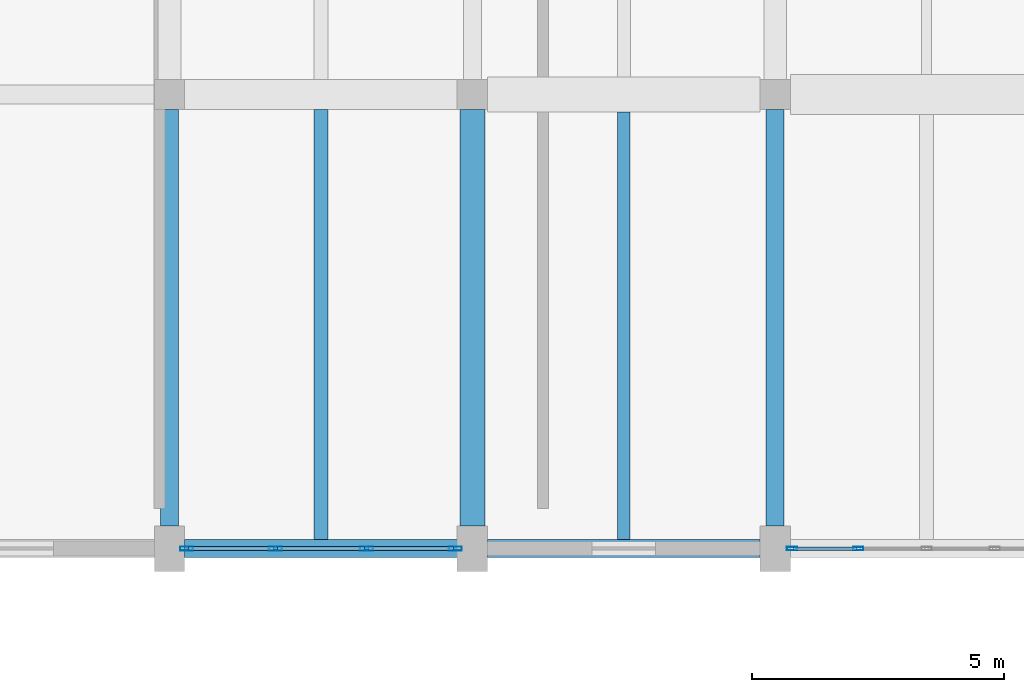
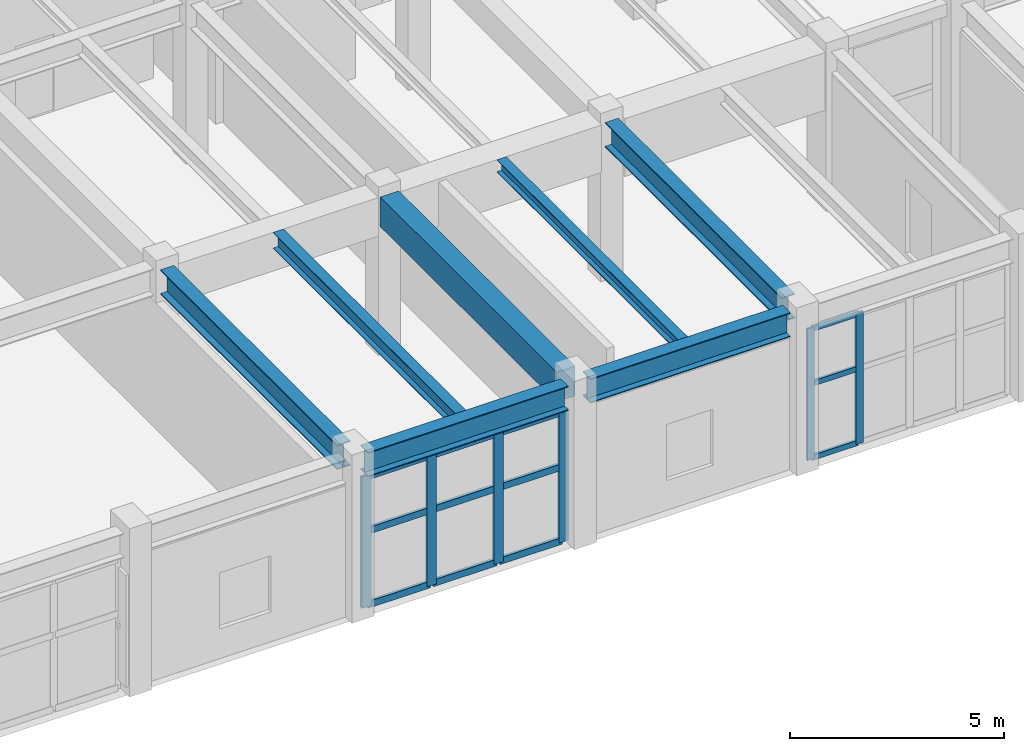
# One storey, part 11 of 85: 18 members, 7 beams, 2 elements without a shape of their own.
"""IFC4 building model written with IfcOpenShell, lengths in metres."""

from ifc_helpers import new_model, si_unit, direction, frame, origin, origin_2d, place, context, subcontext, project, spatial, rectangle, hollow_rectangle, i_section, extrude, material, layer, layer_set, material_profile, profile_set, type_object, element, aggregate, save


model = new_model("IFC4")

# Units and contexts
model_context = context("Model", 3, precision=1e-05, world=origin(), true_north=direction((0.0, 1.0)))
body_context = subcontext(model_context, "Body", "Model", "MODEL_VIEW")
ifc_project = project(units=[si_unit("LENGTHUNIT", "METRE"), si_unit("AREAUNIT", "SQUARE_METRE"), si_unit("VOLUMEUNIT", "CUBIC_METRE"), si_unit("PLANEANGLEUNIT", "RADIAN"), si_unit("MASSUNIT", "GRAM", prefix="KILO")], contexts=[model_context])

# Site, building, storey
site_placement = place(None, origin())
site = spatial("IfcSite", under=ifc_project, at=site_placement, CompositionType="ELEMENT")
building_placement = place(site_placement, origin())
building = spatial("IfcBuilding", under=site, at=building_placement, Name="Vaelkrest Opera House", CompositionType="ELEMENT")
storey_placement = place(building_placement, frame((0.0, 0.0, 10.199951171875)))
storey = spatial("IfcBuildingStorey", under=building, at=storey_placement, Name="L02", CompositionType="ELEMENT", Elevation=10.199951171875)

# Beams
ifc_material_1 = material(Name="Concrete C50/60", Category="concrete")
ifc_material_profile_1 = material_profile(ifc_material_1, rectangle(XDim=0.5, YDim=0.85009765625, at=origin_2d()), Name="RCB500X850")
ifc_profile_set_1 = profile_set([ifc_material_profile_1], Name="Concrete C50/60")
beam_type_1 = type_object("IfcBeamType", Name="B03", PredefinedType="BEAM", material=ifc_profile_set_1)
beam_1_placement = place(storey_placement, frame((-45.60009765625, -16.35009765625, 4.080078125), z_axis=(0.0, 1.0, 0.0), x_axis=(-1.0, 0.0, 0.0)))
element("IfcBeam", 1, at=beam_1_placement, inside=storey, type_object=beam_type_1, Name="Beam BM-V3-L02-1688", PredefinedType="BEAM", context=body_context, shape_type="SweptSolid", body=[
    extrude(rectangle(XDim=0.5, YDim=0.85009765625, at=origin_2d()), origin(), (0.0, 0.0, 1.0), 8.25),
])
ifc_material_2 = material(Name="Steel A992 Gr50", Category="steel")
ifc_material_profile_2 = material_profile(ifc_material_2, i_section(OverallWidth=0.35791015625, OverallDepth=0.7060546875, WebThickness=0.018310546875, FlangeThickness=0.0302734375, at=origin_2d()), Name="W27X178")
ifc_profile_set_2 = profile_set([ifc_material_profile_2], Name="Steel A992 Gr50")
beam_type_2 = type_object("IfcBeamType", Name="B14", PredefinedType="BEAM", material=ifc_profile_set_2)
for number, where, z_axis, x_axis, name in (
    (2, (-51.60009765625, -16.35009765625, 4.152099609375), (0.0, 1.0, 0.0), (-1.0, 0.0, 0.0), "Beam BM-V3-L02-1682"),
    (3, (-39.60009765625, -16.35009765625, 4.152099609375), (0.0, 1.0, 0.0), (-1.0, 0.0, 0.0), "Beam BM-V3-L02-1694"),
):
    element("IfcBeam", number, at=place(storey_placement, frame(where, z_axis=z_axis, x_axis=x_axis)), inside=storey, type_object=beam_type_2, Name=name, PredefinedType="BEAM", context=body_context, shape_type="SweptSolid", body=[
        extrude(i_section(OverallWidth=0.35791015625, OverallDepth=0.7060546875, WebThickness=0.018310546875, FlangeThickness=0.0302734375, at=origin_2d()), origin(), (0.0, 0.0, 1.0), 8.25),
    ])

# Curtain wall, members
ifc_material_3 = material(Name="Dark bronze anodized aluminium", Category="aluminium")
ifc_layer_1 = layer(ifc_material_3, 0.18994140625)
ifc_layer_set_1 = layer_set([ifc_layer_1], Name="Dark bronze anodized aluminium")
curtain_wall_type_1 = type_object("IfcCurtainWallType", Name="CW02", PredefinedType="NOTDEFINED", material=ifc_layer_set_1)
curtain_wall_1_placement = place(storey_placement, origin())
curtain_wall_1 = element("IfcCurtainWall", 4, at=curtain_wall_1_placement, inside=storey, type_object=curtain_wall_type_1, Name="Curtain wall CW-L02-112", PredefinedType="NOTDEFINED")
ifc_material_profile_3 = material_profile(ifc_material_3, hollow_rectangle(XDim=0.070068359375, YDim=0.199951171875, WallThickness=0.004150390625, at=origin_2d()), Name="CWM70X200")
ifc_profile_set_3 = profile_set([ifc_material_profile_3], Name="Dark bronze anodized aluminium")
member_type_1 = type_object("IfcMemberType", Name="CWM02", PredefinedType="MULLION", material=ifc_profile_set_3)
member_1_placement = place(storey_placement, frame((-37.950927734375, -16.800048828125, 0.0), z_axis=(0.0, 0.0, 1.0), x_axis=(0.0, -1.0, 0.0)))
member_1 = element("IfcMember", 5, at=member_1_placement, type_object=member_type_1, Name="CW02 mullion 4", PredefinedType="MULLION", context=body_context, shape_type="SweptSolid", body=[
    extrude(hollow_rectangle(XDim=0.070068359375, YDim=0.199951171875, WallThickness=0.004150390625, at=origin_2d()), origin(), (0.0, 0.0, 1.0), 3.7451171875),
])
member_2_placement = place(storey_placement, frame((-39.26708984375, -16.800048828125, 0.0), z_axis=(0.0, 0.0, 1.0), x_axis=(0.0, -1.0, 0.0)))
member_2 = element("IfcMember", 6, at=member_2_placement, type_object=member_type_1, Name="CW02 mullion 5", PredefinedType="MULLION", context=body_context, shape_type="SweptSolid", body=[
    extrude(hollow_rectangle(XDim=0.070068359375, YDim=0.199951171875, WallThickness=0.004150390625, at=origin_2d()), origin(), (0.0, 0.0, 1.0), 3.7451171875),
])

ifc_layer_2 = layer(ifc_material_3, 0.2099609375)
ifc_layer_set_2 = layer_set([ifc_layer_2], Name="Dark bronze anodized aluminium")
curtain_wall_type_2 = type_object("IfcCurtainWallType", Name="CW04", PredefinedType="NOTDEFINED", material=ifc_layer_set_2)
curtain_wall_2_placement = place(storey_placement, origin())
curtain_wall_2 = element("IfcCurtainWall", 7, at=curtain_wall_2_placement, inside=storey, type_object=curtain_wall_type_2, Name="Curtain wall CW-L02-113", PredefinedType="NOTDEFINED")
ifc_material_profile_4 = material_profile(ifc_material_3, hollow_rectangle(XDim=0.080078125, YDim=0.260009765625, WallThickness=0.0048828125, at=origin_2d()), Name="CWM80X260")
ifc_profile_set_4 = profile_set([ifc_material_profile_4], Name="Dark bronze anodized aluminium")
member_type_2 = type_object("IfcMemberType", Name="CWM04", PredefinedType="MULLION", material=ifc_profile_set_4)
member_3_placement = place(storey_placement, frame((-45.93798828125, -16.800048828125, 0.0), z_axis=(0.0, 0.0, 1.0), x_axis=(0.0, -1.0, 0.0)))
member_3 = element("IfcMember", 8, at=member_3_placement, type_object=member_type_2, Name="CW04 mullion 1", PredefinedType="MULLION", context=body_context, shape_type="SweptSolid", body=[
    extrude(hollow_rectangle(XDim=0.080078125, YDim=0.260009765625, WallThickness=0.0048828125, at=origin_2d()), origin(), (0.0, 0.0, 1.0), 3.7451171875),
])
member_4_placement = place(storey_placement, frame((-47.69921875, -16.800048828125, 0.0), z_axis=(0.0, 0.0, 1.0), x_axis=(0.0, -1.0, 0.0)))
member_4 = element("IfcMember", 9, at=member_4_placement, type_object=member_type_2, Name="CW04 mullion 2", PredefinedType="MULLION", context=body_context, shape_type="SweptSolid", body=[
    extrude(hollow_rectangle(XDim=0.080078125, YDim=0.260009765625, WallThickness=0.0048828125, at=origin_2d()), origin(), (0.0, 0.0, 1.0), 3.7451171875),
])
member_5_placement = place(storey_placement, frame((-49.500732421875, -16.800048828125, 0.0), z_axis=(0.0, 0.0, 1.0), x_axis=(0.0, -1.0, 0.0)))
member_5 = element("IfcMember", 10, at=member_5_placement, type_object=member_type_2, Name="CW04 mullion 3", PredefinedType="MULLION", context=body_context, shape_type="SweptSolid", body=[
    extrude(hollow_rectangle(XDim=0.080078125, YDim=0.260009765625, WallThickness=0.0048828125, at=origin_2d()), origin(), (0.0, 0.0, 1.0), 3.7451171875),
])
member_6_placement = place(storey_placement, frame((-51.261962890625, -16.800048828125, 0.0), z_axis=(0.0, 0.0, 1.0), x_axis=(0.0, -1.0, 0.0)))
member_6 = element("IfcMember", 11, at=member_6_placement, type_object=member_type_2, Name="CW04 mullion 4", PredefinedType="MULLION", context=body_context, shape_type="SweptSolid", body=[
    extrude(hollow_rectangle(XDim=0.080078125, YDim=0.260009765625, WallThickness=0.0048828125, at=origin_2d()), origin(), (0.0, 0.0, 1.0), 3.7451171875),
])

# Member
ifc_material_profile_5 = material_profile(ifc_material_3, hollow_rectangle(XDim=0.070068359375, YDim=0.14990234375, WallThickness=0.004150390625, at=origin_2d()), Name="CWT70X150")
ifc_profile_set_5 = profile_set([ifc_material_profile_5], Name="Dark bronze anodized aluminium")
member_type_3 = type_object("IfcMemberType", Name="CWT02", PredefinedType="USERDEFINED", material=ifc_profile_set_5)
member_7_placement = place(storey_placement, frame((-37.986083984375, -16.800048828125, 0.03515625), z_axis=(-1.0, 0.0, 0.0), x_axis=(0.0, -1.0, 0.0)))
member_7 = element("IfcMember", 12, at=member_7_placement, type_object=member_type_3, Name="CW02 transom 4.1", ObjectType="TRANSOM", PredefinedType="USERDEFINED", context=body_context, shape_type="SweptSolid", body=[
    extrude(hollow_rectangle(XDim=0.070068359375, YDim=0.14990234375, WallThickness=0.004150390625, at=origin_2d()), origin(), (0.0, 0.0, 1.0), 1.245849609375),
])

member_8_placement = place(storey_placement, frame((-37.986083984375, -16.800048828125, 2.150146484375), z_axis=(-1.0, 0.0, 0.0), x_axis=(0.0, -1.0, 0.0)))
member_8 = element("IfcMember", 13, at=member_8_placement, type_object=member_type_3, Name="CW02 transom 4.2", ObjectType="TRANSOM", PredefinedType="USERDEFINED", context=body_context, shape_type="SweptSolid", body=[
    extrude(hollow_rectangle(XDim=0.070068359375, YDim=0.14990234375, WallThickness=0.004150390625, at=origin_2d()), origin(), (0.0, 0.0, 1.0), 1.245849609375),
])

member_9_placement = place(storey_placement, frame((-37.986083984375, -16.800048828125, 3.7099609375), z_axis=(-1.0, 0.0, 0.0), x_axis=(0.0, -1.0, 0.0)))
member_9 = element("IfcMember", 14, at=member_9_placement, type_object=member_type_3, Name="CW02 transom 4.3", ObjectType="TRANSOM", PredefinedType="USERDEFINED", context=body_context, shape_type="SweptSolid", body=[
    extrude(hollow_rectangle(XDim=0.070068359375, YDim=0.14990234375, WallThickness=0.004150390625, at=origin_2d()), origin(), (0.0, 0.0, 1.0), 1.245849609375),
])

aggregate(curtain_wall_1, [member_1, member_2, member_7, member_8, member_9])

ifc_material_profile_6 = material_profile(ifc_material_3, hollow_rectangle(XDim=0.080078125, YDim=0.18994140625, WallThickness=0.0048828125, at=origin_2d()), Name="CWT80X190")
ifc_profile_set_6 = profile_set([ifc_material_profile_6], Name="Dark bronze anodized aluminium")
member_type_4 = type_object("IfcMemberType", Name="CWT04", PredefinedType="USERDEFINED", material=ifc_profile_set_6)
member_10_placement = place(storey_placement, frame((-45.97802734375, -16.800048828125, 0.0400390625), z_axis=(-1.0, 0.0, 0.0), x_axis=(0.0, -1.0, 0.0)))
member_10 = element("IfcMember", 15, at=member_10_placement, type_object=member_type_4, Name="CW04 transom 1.1", ObjectType="TRANSOM", PredefinedType="USERDEFINED", context=body_context, shape_type="SweptSolid", body=[
    extrude(hollow_rectangle(XDim=0.080078125, YDim=0.18994140625, WallThickness=0.0048828125, at=origin_2d()), origin(), (0.0, 0.0, 1.0), 1.681396484375),
])

member_11_placement = place(storey_placement, frame((-45.97802734375, -16.800048828125, 2.150146484375), z_axis=(-1.0, 0.0, 0.0), x_axis=(0.0, -1.0, 0.0)))
member_11 = element("IfcMember", 16, at=member_11_placement, type_object=member_type_4, Name="CW04 transom 1.2", ObjectType="TRANSOM", PredefinedType="USERDEFINED", context=body_context, shape_type="SweptSolid", body=[
    extrude(hollow_rectangle(XDim=0.080078125, YDim=0.18994140625, WallThickness=0.0048828125, at=origin_2d()), origin(), (0.0, 0.0, 1.0), 1.681396484375),
])

member_12_placement = place(storey_placement, frame((-45.97802734375, -16.800048828125, 3.705078125), z_axis=(-1.0, 0.0, 0.0), x_axis=(0.0, -1.0, 0.0)))
member_12 = element("IfcMember", 17, at=member_12_placement, type_object=member_type_4, Name="CW04 transom 1.3", ObjectType="TRANSOM", PredefinedType="USERDEFINED", context=body_context, shape_type="SweptSolid", body=[
    extrude(hollow_rectangle(XDim=0.080078125, YDim=0.18994140625, WallThickness=0.0048828125, at=origin_2d()), origin(), (0.0, 0.0, 1.0), 1.681396484375),
])

member_13_placement = place(storey_placement, frame((-47.7392578125, -16.800048828125, 0.0400390625), z_axis=(-1.0, 0.0, 0.0), x_axis=(0.0, -1.0, 0.0)))
member_13 = element("IfcMember", 18, at=member_13_placement, type_object=member_type_4, Name="CW04 transom 2.1", ObjectType="TRANSOM", PredefinedType="USERDEFINED", context=body_context, shape_type="SweptSolid", body=[
    extrude(hollow_rectangle(XDim=0.080078125, YDim=0.18994140625, WallThickness=0.0048828125, at=origin_2d()), origin(), (0.0, 0.0, 1.0), 1.721435546875),
])

member_14_placement = place(storey_placement, frame((-47.7392578125, -16.800048828125, 2.150146484375), z_axis=(-1.0, 0.0, 0.0), x_axis=(0.0, -1.0, 0.0)))
member_14 = element("IfcMember", 19, at=member_14_placement, type_object=member_type_4, Name="CW04 transom 2.2", ObjectType="TRANSOM", PredefinedType="USERDEFINED", context=body_context, shape_type="SweptSolid", body=[
    extrude(hollow_rectangle(XDim=0.080078125, YDim=0.18994140625, WallThickness=0.0048828125, at=origin_2d()), origin(), (0.0, 0.0, 1.0), 1.721435546875),
])

member_15_placement = place(storey_placement, frame((-47.7392578125, -16.800048828125, 3.705078125), z_axis=(-1.0, 0.0, 0.0), x_axis=(0.0, -1.0, 0.0)))
member_15 = element("IfcMember", 20, at=member_15_placement, type_object=member_type_4, Name="CW04 transom 2.3", ObjectType="TRANSOM", PredefinedType="USERDEFINED", context=body_context, shape_type="SweptSolid", body=[
    extrude(hollow_rectangle(XDim=0.080078125, YDim=0.18994140625, WallThickness=0.0048828125, at=origin_2d()), origin(), (0.0, 0.0, 1.0), 1.721435546875),
])

member_16_placement = place(storey_placement, frame((-49.540771484375, -16.800048828125, 0.0400390625), z_axis=(-1.0, 0.0, 0.0), x_axis=(0.0, -1.0, 0.0)))
member_16 = element("IfcMember", 21, at=member_16_placement, type_object=member_type_4, Name="CW04 transom 3.1", ObjectType="TRANSOM", PredefinedType="USERDEFINED", context=body_context, shape_type="SweptSolid", body=[
    extrude(hollow_rectangle(XDim=0.080078125, YDim=0.18994140625, WallThickness=0.0048828125, at=origin_2d()), origin(), (0.0, 0.0, 1.0), 1.68115234375),
])

member_17_placement = place(storey_placement, frame((-49.540771484375, -16.800048828125, 2.150146484375), z_axis=(-1.0, 0.0, 0.0), x_axis=(0.0, -1.0, 0.0)))
member_17 = element("IfcMember", 22, at=member_17_placement, type_object=member_type_4, Name="CW04 transom 3.2", ObjectType="TRANSOM", PredefinedType="USERDEFINED", context=body_context, shape_type="SweptSolid", body=[
    extrude(hollow_rectangle(XDim=0.080078125, YDim=0.18994140625, WallThickness=0.0048828125, at=origin_2d()), origin(), (0.0, 0.0, 1.0), 1.68115234375),
])

member_18_placement = place(storey_placement, frame((-49.540771484375, -16.800048828125, 3.705078125), z_axis=(-1.0, 0.0, 0.0), x_axis=(0.0, -1.0, 0.0)))
member_18 = element("IfcMember", 23, at=member_18_placement, type_object=member_type_4, Name="CW04 transom 3.3", ObjectType="TRANSOM", PredefinedType="USERDEFINED", context=body_context, shape_type="SweptSolid", body=[
    extrude(hollow_rectangle(XDim=0.080078125, YDim=0.18994140625, WallThickness=0.0048828125, at=origin_2d()), origin(), (0.0, 0.0, 1.0), 1.68115234375),
])

aggregate(curtain_wall_2, [member_3, member_4, member_5, member_6, member_10, member_11, member_12, member_13, member_14, member_15, member_16, member_17, member_18])

# Beams
ifc_material_profile_7 = material_profile(ifc_material_2, i_section(OverallWidth=0.2548828125, OverallDepth=0.35693359375, WebThickness=0.010498046875, FlangeThickness=0.018310546875, at=origin_2d()), Name="W14X68")
ifc_profile_set_7 = profile_set([ifc_material_profile_7], Name="Steel A992 Gr50")
beam_type_3 = type_object("IfcBeamType", Name="J05", PredefinedType="JOIST", material=ifc_profile_set_7)
beam_2_placement = place(storey_placement, frame((-42.60009765625, -16.62255859375, 4.32666015625), z_axis=(0.0, 1.0, 0.0), x_axis=(-1.0, 0.0, 0.0)))
element("IfcBeam", 24, at=beam_2_placement, inside=storey, type_object=beam_type_3, Name="Floor joist JST-V3-L02-1725", PredefinedType="JOIST", context=body_context, shape_type="SweptSolid", body=[
    extrude(i_section(OverallWidth=0.2548828125, OverallDepth=0.35693359375, WebThickness=0.010498046875, FlangeThickness=0.018310546875, at=origin_2d()), origin(), (0.0, 0.0, 1.0), 8.47265625),
])
ifc_material_profile_8 = material_profile(ifc_material_2, i_section(OverallWidth=0.280029296875, OverallDepth=0.462890625, WebThickness=0.0107421875, FlangeThickness=0.017333984375, at=origin_2d()), Name="W18X76")
ifc_profile_set_8 = profile_set([ifc_material_profile_8], Name="Steel A992 Gr50")
beam_type_4 = type_object("IfcBeamType", Name="J09", PredefinedType="JOIST", material=ifc_profile_set_8)
beam_3_placement = place(storey_placement, frame((-48.60009765625, -16.62255859375, 4.2734375), z_axis=(0.0, 1.0, 0.0), x_axis=(-1.0, 0.0, 0.0)))
element("IfcBeam", 25, at=beam_3_placement, inside=storey, type_object=beam_type_4, Name="Floor joist JST-V3-L02-1719", PredefinedType="JOIST", context=body_context, shape_type="SweptSolid", body=[
    extrude(i_section(OverallWidth=0.280029296875, OverallDepth=0.462890625, WebThickness=0.0107421875, FlangeThickness=0.017333984375, at=origin_2d()), origin(), (0.0, 0.0, 1.0), 8.5224609375),
])
ifc_material_profile_9 = material_profile(ifc_material_2, i_section(OverallWidth=0.35498046875, OverallDepth=0.695068359375, WebThickness=0.015380859375, FlangeThickness=0.02490234375, at=origin_2d()), Name="W27X146")
ifc_profile_set_9 = profile_set([ifc_material_profile_9], Name="Steel A992 Gr50")
beam_type_5 = type_object("IfcBeamType", Name="SP02", PredefinedType="SPANDREL", material=ifc_profile_set_9)
for number, where, z_axis, x_axis, name in (
    (26, (-51.300048828125, -16.800048828125, 4.157470703125), (1.0, 0.0, 0.0), (0.0, 1.0, 0.0), "Beam BM-V3-L02-1625"),
    (27, (-45.300048828125, -16.800048828125, 4.157470703125), (1.0, 0.0, 0.0), (0.0, 1.0, 0.0), "Beam BM-V3-L02-1626"),
):
    element("IfcBeam", number, at=place(storey_placement, frame(where, z_axis=z_axis, x_axis=x_axis)), inside=storey, type_object=beam_type_5, Name=name, PredefinedType="SPANDREL", context=body_context, shape_type="SweptSolid", body=[
        extrude(i_section(OverallWidth=0.35498046875, OverallDepth=0.695068359375, WebThickness=0.015380859375, FlangeThickness=0.02490234375, at=origin_2d()), origin(), (0.0, 0.0, 1.0), 5.400146484375),
    ])

save(model, "model.ifc")
